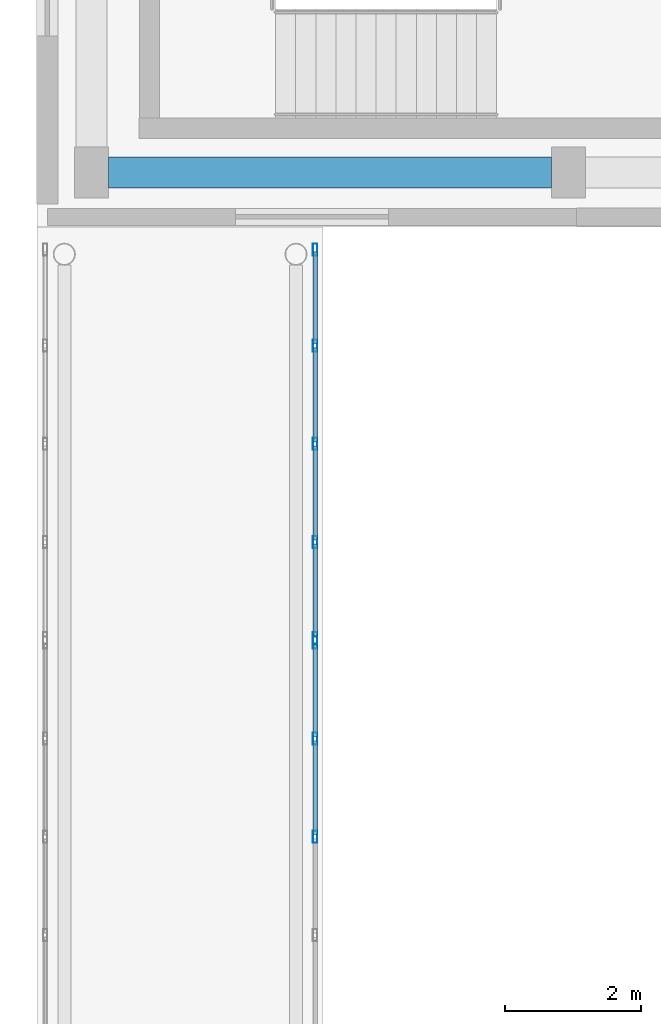
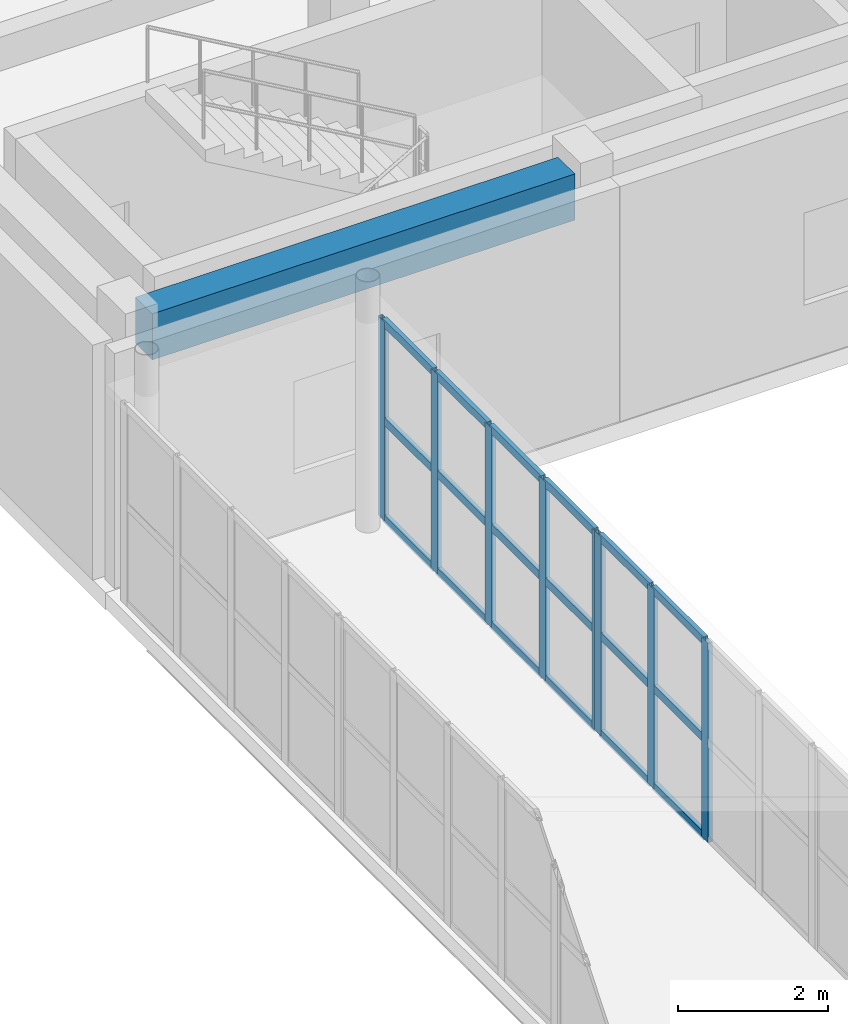
# One storey, part 77 of 146: 26 members, 1 beam, 2 elements without a shape of their own.
"""IFC4 building model written with IfcOpenShell, lengths in metres."""

from ifc_helpers import new_model, si_unit, direction, frame, origin, origin_2d, place, context, subcontext, project, spatial, rectangle, hollow_rectangle, extrude, material, layer, layer_set, material_profile, profile_set, type_object, element, aggregate, save


model = new_model("IFC4")

# Units and contexts
model_context = context("Model", 3, precision=1e-05, world=origin(), true_north=direction((0.0, 1.0)))
body_context = subcontext(model_context, "Body", "Model", "MODEL_VIEW")
ifc_project = project(units=[si_unit("LENGTHUNIT", "METRE"), si_unit("AREAUNIT", "SQUARE_METRE"), si_unit("VOLUMEUNIT", "CUBIC_METRE"), si_unit("PLANEANGLEUNIT", "RADIAN"), si_unit("MASSUNIT", "GRAM", prefix="KILO")], contexts=[model_context])

# Site, building, storey
site_placement = place(None, origin())
site = spatial("IfcSite", under=ifc_project, at=site_placement, CompositionType="ELEMENT")
building_placement = place(site_placement, origin())
building = spatial("IfcBuilding", under=site, at=building_placement, Name="Valcora Specialist Clinic", CompositionType="ELEMENT")
storey_placement = place(building_placement, frame((0.0, 0.0, 9.52001953125)))
storey = spatial("IfcBuildingStorey", under=building, at=storey_placement, Name="L02", CompositionType="ELEMENT", Elevation=9.52001953125)

# Beam
ifc_material_1 = material(Name="Concrete C40/50", Category="concrete")
ifc_material_profile_1 = material_profile(ifc_material_1, rectangle(XDim=0.449951171875, YDim=0.75, at=origin_2d()), Name="RC-BM-450X750")
ifc_profile_set_1 = profile_set([ifc_material_profile_1], Name="Concrete C40/50")
beam_type = type_object("IfcBeamType", Name="TY-BM-RC450X750", PredefinedType="BEAM", material=ifc_profile_set_1)
beam_placement = place(storey_placement, frame((62.25, 74.800048828125, 3.445068359375), z_axis=(1.0, 0.0, 0.0), x_axis=(0.0, 1.0, 0.0)))
element("IfcBeam", 1, at=beam_placement, inside=storey, type_object=beam_type, Name="Beam BM-L02-0695", PredefinedType="BEAM", context=body_context, shape_type="SweptSolid", body=[
    extrude(rectangle(XDim=0.449951171875, YDim=0.75, at=origin_2d()), origin(), (0.0, 0.0, 1.0), 6.5),
])

# Curtain wall, members
ifc_material_2 = material(Name="Anodized Bronze Aluminium 6063-T6", Category="aluminium")
ifc_layer = layer(ifc_material_2, 0.175048828125)
ifc_layer_set = layer_set([ifc_layer], Name="Anodized Bronze Aluminium 6063-T6")
curtain_wall_type = type_object("IfcCurtainWallType", Name="TY-CW-BRG14", PredefinedType="NOTDEFINED", material=ifc_layer_set)
curtain_wall_1_placement = place(storey_placement, origin())
curtain_wall_1 = element("IfcCurtainWall", 2, at=curtain_wall_1_placement, inside=storey, type_object=curtain_wall_type, Name="Curtain wall CW-L02-265", PredefinedType="NOTDEFINED")
ifc_material_profile_2 = material_profile(ifc_material_2, hollow_rectangle(XDim=0.06494140625, YDim=0.175048828125, WallThickness=0.00390625, at=origin_2d()), Name="AL-MUL-65X175")
ifc_profile_set_2 = profile_set([ifc_material_profile_2], Name="Anodized Bronze Aluminium 6063-T6")
member_type_1 = type_object("IfcMemberType", Name="TY-CWM-65X175", PredefinedType="MULLION", material=ifc_profile_set_2)
member_1_placement = place(storey_placement, frame((65.280029296875, 65.050048828125, 0.0), z_axis=(0.0, 0.0, 1.0), x_axis=(-1.0, 0.0, 0.0)))
member_1 = element("IfcMember", 3, at=member_1_placement, type_object=member_type_1, Name="CW-BRG-14 mullion 3", PredefinedType="MULLION", context=body_context, shape_type="SweptSolid", body=[
    extrude(hollow_rectangle(XDim=0.06494140625, YDim=0.175048828125, WallThickness=0.00390625, at=origin_2d()), origin(), (0.0, 0.0, 1.0), 3.239990234375),
])
member_2_placement = place(storey_placement, frame((65.280029296875, 66.49169921875, 0.0), z_axis=(0.0, 0.0, 1.0), x_axis=(-1.0, 0.0, 0.0)))
member_2 = element("IfcMember", 4, at=member_2_placement, type_object=member_type_1, Name="CW-BRG-14 mullion 4", PredefinedType="MULLION", context=body_context, shape_type="SweptSolid", body=[
    extrude(hollow_rectangle(XDim=0.06494140625, YDim=0.175048828125, WallThickness=0.00390625, at=origin_2d()), origin(), (0.0, 0.0, 1.0), 3.239990234375),
])
member_3_placement = place(storey_placement, frame((65.280029296875, 67.90087890625, 0.0), z_axis=(0.0, 0.0, 1.0), x_axis=(-1.0, 0.0, 0.0)))
member_3 = element("IfcMember", 5, at=member_3_placement, type_object=member_type_1, Name="CW-BRG-14 mullion 5", PredefinedType="MULLION", context=body_context, shape_type="SweptSolid", body=[
    extrude(hollow_rectangle(XDim=0.06494140625, YDim=0.175048828125, WallThickness=0.00390625, at=origin_2d()), origin(), (0.0, 0.0, 1.0), 3.239990234375),
])

curtain_wall_2_placement = place(storey_placement, origin())
curtain_wall_2 = element("IfcCurtainWall", 6, at=curtain_wall_2_placement, inside=storey, type_object=curtain_wall_type, Name="Curtain wall CW-L02-266", PredefinedType="NOTDEFINED")
member_4_placement = place(storey_placement, frame((65.280029296875, 67.9658203125, 0.0), z_axis=(0.0, 0.0, 1.0), x_axis=(-1.0, 0.0, 0.0)))
member_4 = element("IfcMember", 7, at=member_4_placement, type_object=member_type_1, Name="CW-BRG-14 mullion 1", PredefinedType="MULLION", context=body_context, shape_type="SweptSolid", body=[
    extrude(hollow_rectangle(XDim=0.06494140625, YDim=0.175048828125, WallThickness=0.00390625, at=origin_2d()), origin(), (0.0, 0.0, 1.0), 3.239990234375),
])
member_5_placement = place(storey_placement, frame((65.280029296875, 69.375, 0.0), z_axis=(0.0, 0.0, 1.0), x_axis=(-1.0, 0.0, 0.0)))
member_5 = element("IfcMember", 8, at=member_5_placement, type_object=member_type_1, Name="CW-BRG-14 mullion 2", PredefinedType="MULLION", context=body_context, shape_type="SweptSolid", body=[
    extrude(hollow_rectangle(XDim=0.06494140625, YDim=0.175048828125, WallThickness=0.00390625, at=origin_2d()), origin(), (0.0, 0.0, 1.0), 3.239990234375),
])
member_6_placement = place(storey_placement, frame((65.280029296875, 70.816650390625, 0.0), z_axis=(0.0, 0.0, 1.0), x_axis=(-1.0, 0.0, 0.0)))
member_6 = element("IfcMember", 9, at=member_6_placement, type_object=member_type_1, Name="CW-BRG-14 mullion 3", PredefinedType="MULLION", context=body_context, shape_type="SweptSolid", body=[
    extrude(hollow_rectangle(XDim=0.06494140625, YDim=0.175048828125, WallThickness=0.00390625, at=origin_2d()), origin(), (0.0, 0.0, 1.0), 3.239990234375),
])
member_7_placement = place(storey_placement, frame((65.280029296875, 72.25830078125, 0.0), z_axis=(0.0, 0.0, 1.0), x_axis=(-1.0, 0.0, 0.0)))
member_7 = element("IfcMember", 10, at=member_7_placement, type_object=member_type_1, Name="CW-BRG-14 mullion 4", PredefinedType="MULLION", context=body_context, shape_type="SweptSolid", body=[
    extrude(hollow_rectangle(XDim=0.06494140625, YDim=0.175048828125, WallThickness=0.00390625, at=origin_2d()), origin(), (0.0, 0.0, 1.0), 3.239990234375),
])
member_8_placement = place(storey_placement, frame((65.280029296875, 73.66748046875, 0.0), z_axis=(0.0, 0.0, 1.0), x_axis=(-1.0, 0.0, 0.0)))
member_8 = element("IfcMember", 11, at=member_8_placement, type_object=member_type_1, Name="CW-BRG-14 mullion 5", PredefinedType="MULLION", context=body_context, shape_type="SweptSolid", body=[
    extrude(hollow_rectangle(XDim=0.06494140625, YDim=0.175048828125, WallThickness=0.00390625, at=origin_2d()), origin(), (0.0, 0.0, 1.0), 3.239990234375),
])

# Member
ifc_material_profile_3 = material_profile(ifc_material_2, hollow_rectangle(XDim=0.06494140625, YDim=0.1298828125, WallThickness=0.00390625, at=origin_2d()), Name="AL-TRN-65X130")
ifc_profile_set_3 = profile_set([ifc_material_profile_3], Name="Anodized Bronze Aluminium 6063-T6")
member_type_2 = type_object("IfcMemberType", Name="TY-CWT-65X130", PredefinedType="USERDEFINED", material=ifc_profile_set_3)
member_9_placement = place(storey_placement, frame((65.280029296875, 65.08251953125, 0.032470703125), z_axis=(0.0, 1.0, 0.0), x_axis=(-1.0, 0.0, 0.0)))
member_9 = element("IfcMember", 12, at=member_9_placement, type_object=member_type_2, Name="CW-BRG-14 transom 3.1", ObjectType="TRANSOM", PredefinedType="USERDEFINED", context=body_context, shape_type="SweptSolid", body=[
    extrude(hollow_rectangle(XDim=0.06494140625, YDim=0.1298828125, WallThickness=0.00390625, at=origin_2d()), origin(), (0.0, 0.0, 1.0), 1.376708984375),
])

member_10_placement = place(storey_placement, frame((65.280029296875, 65.08251953125, 1.619873046875), z_axis=(0.0, 1.0, 0.0), x_axis=(-1.0, 0.0, 0.0)))
member_10 = element("IfcMember", 13, at=member_10_placement, type_object=member_type_2, Name="CW-BRG-14 transom 3.2", ObjectType="TRANSOM", PredefinedType="USERDEFINED", context=body_context, shape_type="SweptSolid", body=[
    extrude(hollow_rectangle(XDim=0.06494140625, YDim=0.1298828125, WallThickness=0.00390625, at=origin_2d()), origin(), (0.0, 0.0, 1.0), 1.376708984375),
])

member_11_placement = place(storey_placement, frame((65.280029296875, 65.08251953125, 3.20751953125), z_axis=(0.0, 1.0, 0.0), x_axis=(-1.0, 0.0, 0.0)))
member_11 = element("IfcMember", 14, at=member_11_placement, type_object=member_type_2, Name="CW-BRG-14 transom 3.3", ObjectType="TRANSOM", PredefinedType="USERDEFINED", context=body_context, shape_type="SweptSolid", body=[
    extrude(hollow_rectangle(XDim=0.06494140625, YDim=0.1298828125, WallThickness=0.00390625, at=origin_2d()), origin(), (0.0, 0.0, 1.0), 1.376708984375),
])

member_12_placement = place(storey_placement, frame((65.280029296875, 66.524169921875, 0.032470703125), z_axis=(0.0, 1.0, 0.0), x_axis=(-1.0, 0.0, 0.0)))
member_12 = element("IfcMember", 15, at=member_12_placement, type_object=member_type_2, Name="CW-BRG-14 transom 4.1", ObjectType="TRANSOM", PredefinedType="USERDEFINED", context=body_context, shape_type="SweptSolid", body=[
    extrude(hollow_rectangle(XDim=0.06494140625, YDim=0.1298828125, WallThickness=0.00390625, at=origin_2d()), origin(), (0.0, 0.0, 1.0), 1.34423828125),
])

member_13_placement = place(storey_placement, frame((65.280029296875, 66.524169921875, 1.619873046875), z_axis=(0.0, 1.0, 0.0), x_axis=(-1.0, 0.0, 0.0)))
member_13 = element("IfcMember", 16, at=member_13_placement, type_object=member_type_2, Name="CW-BRG-14 transom 4.2", ObjectType="TRANSOM", PredefinedType="USERDEFINED", context=body_context, shape_type="SweptSolid", body=[
    extrude(hollow_rectangle(XDim=0.06494140625, YDim=0.1298828125, WallThickness=0.00390625, at=origin_2d()), origin(), (0.0, 0.0, 1.0), 1.34423828125),
])

member_14_placement = place(storey_placement, frame((65.280029296875, 66.524169921875, 3.20751953125), z_axis=(0.0, 1.0, 0.0), x_axis=(-1.0, 0.0, 0.0)))
member_14 = element("IfcMember", 17, at=member_14_placement, type_object=member_type_2, Name="CW-BRG-14 transom 4.3", ObjectType="TRANSOM", PredefinedType="USERDEFINED", context=body_context, shape_type="SweptSolid", body=[
    extrude(hollow_rectangle(XDim=0.06494140625, YDim=0.1298828125, WallThickness=0.00390625, at=origin_2d()), origin(), (0.0, 0.0, 1.0), 1.34423828125),
])

aggregate(curtain_wall_1, [member_1, member_2, member_3, member_9, member_10, member_11, member_12, member_13, member_14])

member_15_placement = place(storey_placement, frame((65.280029296875, 67.998291015625, 0.032470703125), z_axis=(0.0, 1.0, 0.0), x_axis=(-1.0, 0.0, 0.0)))
member_15 = element("IfcMember", 18, at=member_15_placement, type_object=member_type_2, Name="CW-BRG-14 transom 1.1", ObjectType="TRANSOM", PredefinedType="USERDEFINED", context=body_context, shape_type="SweptSolid", body=[
    extrude(hollow_rectangle(XDim=0.06494140625, YDim=0.1298828125, WallThickness=0.00390625, at=origin_2d()), origin(), (0.0, 0.0, 1.0), 1.34423828125),
])

member_16_placement = place(storey_placement, frame((65.280029296875, 67.998291015625, 1.619873046875), z_axis=(0.0, 1.0, 0.0), x_axis=(-1.0, 0.0, 0.0)))
member_16 = element("IfcMember", 19, at=member_16_placement, type_object=member_type_2, Name="CW-BRG-14 transom 1.2", ObjectType="TRANSOM", PredefinedType="USERDEFINED", context=body_context, shape_type="SweptSolid", body=[
    extrude(hollow_rectangle(XDim=0.06494140625, YDim=0.1298828125, WallThickness=0.00390625, at=origin_2d()), origin(), (0.0, 0.0, 1.0), 1.34423828125),
])

member_17_placement = place(storey_placement, frame((65.280029296875, 67.998291015625, 3.20751953125), z_axis=(0.0, 1.0, 0.0), x_axis=(-1.0, 0.0, 0.0)))
member_17 = element("IfcMember", 20, at=member_17_placement, type_object=member_type_2, Name="CW-BRG-14 transom 1.3", ObjectType="TRANSOM", PredefinedType="USERDEFINED", context=body_context, shape_type="SweptSolid", body=[
    extrude(hollow_rectangle(XDim=0.06494140625, YDim=0.1298828125, WallThickness=0.00390625, at=origin_2d()), origin(), (0.0, 0.0, 1.0), 1.34423828125),
])

member_18_placement = place(storey_placement, frame((65.280029296875, 69.407470703125, 0.032470703125), z_axis=(0.0, 1.0, 0.0), x_axis=(-1.0, 0.0, 0.0)))
member_18 = element("IfcMember", 21, at=member_18_placement, type_object=member_type_2, Name="CW-BRG-14 transom 2.1", ObjectType="TRANSOM", PredefinedType="USERDEFINED", context=body_context, shape_type="SweptSolid", body=[
    extrude(hollow_rectangle(XDim=0.06494140625, YDim=0.1298828125, WallThickness=0.00390625, at=origin_2d()), origin(), (0.0, 0.0, 1.0), 1.376708984375),
])

member_19_placement = place(storey_placement, frame((65.280029296875, 69.407470703125, 1.619873046875), z_axis=(0.0, 1.0, 0.0), x_axis=(-1.0, 0.0, 0.0)))
member_19 = element("IfcMember", 22, at=member_19_placement, type_object=member_type_2, Name="CW-BRG-14 transom 2.2", ObjectType="TRANSOM", PredefinedType="USERDEFINED", context=body_context, shape_type="SweptSolid", body=[
    extrude(hollow_rectangle(XDim=0.06494140625, YDim=0.1298828125, WallThickness=0.00390625, at=origin_2d()), origin(), (0.0, 0.0, 1.0), 1.376708984375),
])

member_20_placement = place(storey_placement, frame((65.280029296875, 69.407470703125, 3.20751953125), z_axis=(0.0, 1.0, 0.0), x_axis=(-1.0, 0.0, 0.0)))
member_20 = element("IfcMember", 23, at=member_20_placement, type_object=member_type_2, Name="CW-BRG-14 transom 2.3", ObjectType="TRANSOM", PredefinedType="USERDEFINED", context=body_context, shape_type="SweptSolid", body=[
    extrude(hollow_rectangle(XDim=0.06494140625, YDim=0.1298828125, WallThickness=0.00390625, at=origin_2d()), origin(), (0.0, 0.0, 1.0), 1.376708984375),
])

member_21_placement = place(storey_placement, frame((65.280029296875, 70.84912109375, 0.032470703125), z_axis=(0.0, 1.0, 0.0), x_axis=(-1.0, 0.0, 0.0)))
member_21 = element("IfcMember", 24, at=member_21_placement, type_object=member_type_2, Name="CW-BRG-14 transom 3.1", ObjectType="TRANSOM", PredefinedType="USERDEFINED", context=body_context, shape_type="SweptSolid", body=[
    extrude(hollow_rectangle(XDim=0.06494140625, YDim=0.1298828125, WallThickness=0.00390625, at=origin_2d()), origin(), (0.0, 0.0, 1.0), 1.376708984375),
])

member_22_placement = place(storey_placement, frame((65.280029296875, 70.84912109375, 1.619873046875), z_axis=(0.0, 1.0, 0.0), x_axis=(-1.0, 0.0, 0.0)))
member_22 = element("IfcMember", 25, at=member_22_placement, type_object=member_type_2, Name="CW-BRG-14 transom 3.2", ObjectType="TRANSOM", PredefinedType="USERDEFINED", context=body_context, shape_type="SweptSolid", body=[
    extrude(hollow_rectangle(XDim=0.06494140625, YDim=0.1298828125, WallThickness=0.00390625, at=origin_2d()), origin(), (0.0, 0.0, 1.0), 1.376708984375),
])

member_23_placement = place(storey_placement, frame((65.280029296875, 70.84912109375, 3.20751953125), z_axis=(0.0, 1.0, 0.0), x_axis=(-1.0, 0.0, 0.0)))
member_23 = element("IfcMember", 26, at=member_23_placement, type_object=member_type_2, Name="CW-BRG-14 transom 3.3", ObjectType="TRANSOM", PredefinedType="USERDEFINED", context=body_context, shape_type="SweptSolid", body=[
    extrude(hollow_rectangle(XDim=0.06494140625, YDim=0.1298828125, WallThickness=0.00390625, at=origin_2d()), origin(), (0.0, 0.0, 1.0), 1.376708984375),
])

member_24_placement = place(storey_placement, frame((65.280029296875, 72.290771484375, 0.032470703125), z_axis=(0.0, 1.0, 0.0), x_axis=(-1.0, 0.0, 0.0)))
member_24 = element("IfcMember", 27, at=member_24_placement, type_object=member_type_2, Name="CW-BRG-14 transom 4.1", ObjectType="TRANSOM", PredefinedType="USERDEFINED", context=body_context, shape_type="SweptSolid", body=[
    extrude(hollow_rectangle(XDim=0.06494140625, YDim=0.1298828125, WallThickness=0.00390625, at=origin_2d()), origin(), (0.0, 0.0, 1.0), 1.34423828125),
])

member_25_placement = place(storey_placement, frame((65.280029296875, 72.290771484375, 1.619873046875), z_axis=(0.0, 1.0, 0.0), x_axis=(-1.0, 0.0, 0.0)))
member_25 = element("IfcMember", 28, at=member_25_placement, type_object=member_type_2, Name="CW-BRG-14 transom 4.2", ObjectType="TRANSOM", PredefinedType="USERDEFINED", context=body_context, shape_type="SweptSolid", body=[
    extrude(hollow_rectangle(XDim=0.06494140625, YDim=0.1298828125, WallThickness=0.00390625, at=origin_2d()), origin(), (0.0, 0.0, 1.0), 1.34423828125),
])

member_26_placement = place(storey_placement, frame((65.280029296875, 72.290771484375, 3.20751953125), z_axis=(0.0, 1.0, 0.0), x_axis=(-1.0, 0.0, 0.0)))
member_26 = element("IfcMember", 29, at=member_26_placement, type_object=member_type_2, Name="CW-BRG-14 transom 4.3", ObjectType="TRANSOM", PredefinedType="USERDEFINED", context=body_context, shape_type="SweptSolid", body=[
    extrude(hollow_rectangle(XDim=0.06494140625, YDim=0.1298828125, WallThickness=0.00390625, at=origin_2d()), origin(), (0.0, 0.0, 1.0), 1.34423828125),
])

aggregate(curtain_wall_2, [member_4, member_5, member_6, member_7, member_8, member_15, member_16, member_17, member_18, member_19, member_20, member_21, member_22, member_23, member_24, member_25, member_26])

save(model, "model.ifc")
